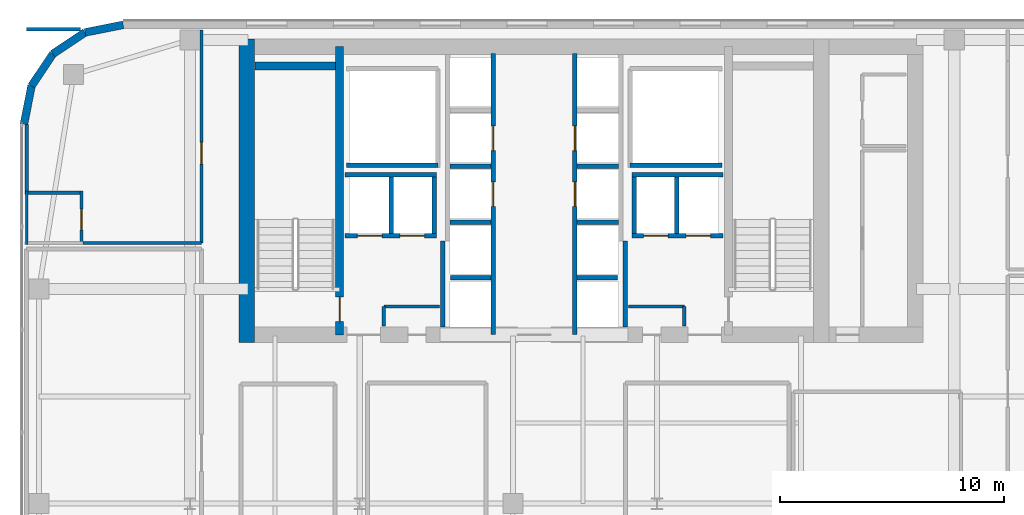
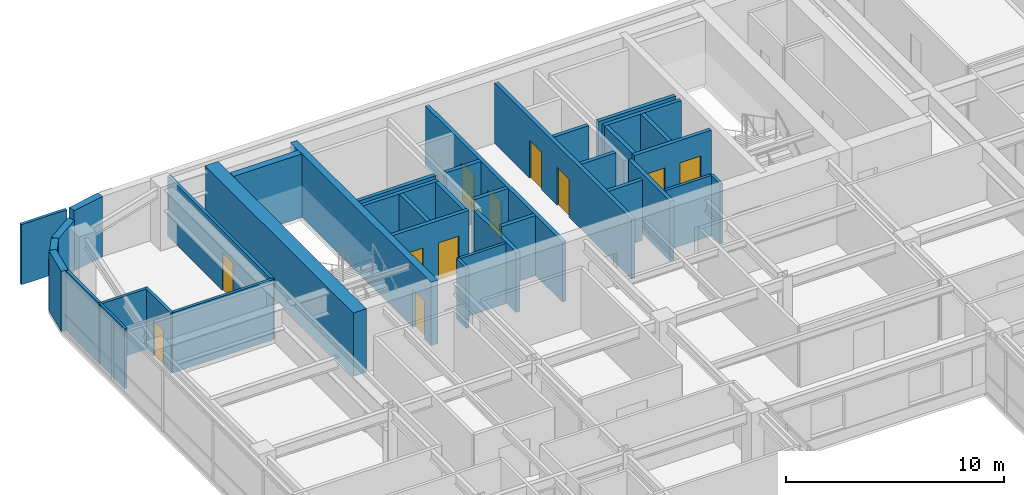
# One storey, part 30 of 37: 38 walls, 11 doors, 11 openings.
"""IFC4 building model written with IfcOpenShell, lengths in metres."""

from ifc_helpers import new_model, si_unit, direction, frame, frame_2d, origin, place, context, subcontext, project, spatial, rectangle, extrude, source, transform, mapped, material, layer, layer_set, type_object, type_shapes, element, fill, save


model = new_model("IFC4")

# Units and contexts
model_context = context("Model", 3, precision=1e-05, world=origin(), true_north=direction((0.0, 1.0)))
body_context = subcontext(model_context, "Body", "Model", "MODEL_VIEW")
ifc_project = project(units=[si_unit("LENGTHUNIT", "METRE"), si_unit("AREAUNIT", "SQUARE_METRE"), si_unit("VOLUMEUNIT", "CUBIC_METRE"), si_unit("PLANEANGLEUNIT", "RADIAN"), si_unit("MASSUNIT", "GRAM", prefix="KILO")], contexts=[model_context])

# Site, building, storey
site_placement = place(None, origin())
site = spatial("IfcSite", under=ifc_project, at=site_placement, CompositionType="ELEMENT")
building_placement = place(site_placement, origin())
building = spatial("IfcBuilding", under=site, at=building_placement, Name="Tolvann Quenvar Hotel", CompositionType="ELEMENT")
storey_placement = place(building_placement, frame((0.0, 0.0, 104.449951171875)))
storey = spatial("IfcBuildingStorey", under=building, at=storey_placement, Name="L26", CompositionType="ELEMENT", Elevation=104.449951171875)

# Wall
ifc_material_1 = material(Name="Concrete S65 (65 MPa)", Category="concrete")
ifc_layer_1 = layer(ifc_material_1, 0.699951171875)
ifc_layer_set_1 = layer_set([ifc_layer_1], Name="Concrete S65 (65 MPa)")
wall_type_1 = type_object("IfcWallType", Name="WALL_CORE_700", PredefinedType="SHEAR", material=ifc_layer_set_1)
wall_1_placement = place(storey_placement, frame((10.14990234375, 31.60009765625, 0.0), z_axis=(0.0, 0.0, 1.0), x_axis=(0.0, 1.0, 0.0)))
element("IfcWall", 1, at=wall_1_placement, inside=storey, type_object=wall_type_1, Name="Rear Core W Shear Wall (L26)", PredefinedType="SHEAR", context=body_context, shape_type="SweptSolid", body=[
    extrude(rectangle(XDim=13.599853515625, YDim=0.699951171875, at=frame_2d((6.7998046875, 0.0))), origin(), (0.0, 0.0, 1.0), 3.550048828125),
])

# Wall, opening, door
ifc_layer_2 = layer(ifc_material_1, 0.35009765625)
ifc_layer_set_2 = layer_set([ifc_layer_2], Name="Concrete S65 (65 MPa)")
wall_type_2 = type_object("IfcWallType", Name="WALL_CORE_INT_350", PredefinedType="SHEAR", material=ifc_layer_set_2)
wall_2_placement = place(storey_placement, frame((14.300048828125, 31.949951171875, 0.0), z_axis=(0.0, 0.0, 1.0), x_axis=(0.0, 1.0, 0.0)))
wall_2 = element("IfcWall", 2, at=wall_2_placement, inside=storey, type_object=wall_type_2, Name="Core Internal Web Shear Wall WEB-W (L26)", PredefinedType="SHEAR", context=body_context, shape_type="SweptSolid", body=[
    extrude(rectangle(XDim=12.900146484375, YDim=0.35009765625, at=frame_2d((6.4501953125, 0.0))), origin(), (0.0, 0.0, 1.0), 3.550048828125),
])
opening_1_placement = place(wall_2_placement, frame((0.60009765625, 0.0, 0.0)))
opening_1 = element("IfcOpeningElement", 3, at=opening_1_placement, cuts=wall_2, Name="Opening FD-120", PredefinedType="OPENING", context=body_context, shape_type="SweptSolid", body=[
    extrude(rectangle(XDim=1.10009765625, YDim=2.1201171875, at=frame_2d((0.550048828125, 1.06005859375))), frame((0.0, 0.18505859375, 0.0), z_axis=(0.0, -1.0, 0.0), x_axis=(1.0, 0.0, 0.0)), (0.0, 0.0, 1.0), 0.3701171875),
])
ifc_material_2 = material(Name="Pressed galvanised steel fire-rated door set", Category="steel")
door_type_1 = type_object("IfcDoorType", Name="DOOR_FIRE_STAIR_1100", OperationType="NOTDEFINED", PredefinedType="DOOR", material=ifc_material_2)
shared_shape_1 = source(origin(), body_context, "Body", "SweptSolid", [
    extrude(rectangle(XDim=1.10009765625, YDim=2.1201171875, at=frame_2d((0.550048828125, 1.06005859375))), frame((0.0, 0.02490234375, 0.0), z_axis=(0.0, -1.0, 0.0), x_axis=(1.0, 0.0, 0.0)), (0.0, 0.0, 1.0), 0.050048828125),
])
type_shapes(door_type_1, [shared_shape_1])
door_1_placement = place(opening_1_placement, origin())
door_1 = element("IfcDoor", 4, at=door_1_placement, inside=storey, type_object=door_type_1, Name="Exit Stair ST-C1 Fire Door (L26)", OperationType="SINGLE_SWING_LEFT", OverallHeight=2.1201171875, OverallWidth=1.10009765625, PredefinedType="DOOR", context=body_context, shape_type="MappedRepresentation", body=[
    mapped(shared_shape_1, transform((0.0, 0.0, 0.0), x_axis=(1.0, 0.0, 0.0), y_axis=(0.0, 1.0, 0.0), z_axis=(0.0, 0.0, 1.0), scale=1.0)),
])
fill(opening_1, door_1)

# Walls
wall_3_placement = place(storey_placement, frame((10.52001953125, 43.97509765625, 0.0), z_axis=(0.0, 0.0, 1.0), x_axis=(1.0, 0.0, 0.0)))
element("IfcWall", 5, at=wall_3_placement, inside=storey, type_object=wall_type_2, Name="Core Stair North Closing Shear Wall STC1-N (L26)", PredefinedType="SHEAR", context=body_context, shape_type="SweptSolid", body=[
    extrude(rectangle(XDim=3.60009765625, YDim=0.35009765625, at=frame_2d((1.800048828125, 0.0))), origin(), (0.0, 0.0, 1.0), 3.550048828125),
])
ifc_material_3 = material(Name="Kiln-fired red and buff architectural clay brickwork and terracotta masonry", Category="masonry")
ifc_layer_3 = layer(ifc_material_3, 0.35009765625)
ifc_layer_set_3 = layer_set([ifc_layer_3], Name="Kiln-fired red and buff architectural clay brickwork and terracotta masonry")
wall_type_3 = type_object("IfcWallType", Name="WALL_EXT_BRICK_350", PredefinedType="SOLIDWALL", material=ifc_layer_set_3)
wall_4_placement = place(storey_placement, frame((4.6171875, 45.824951171875, 0.0), z_axis=(0.0, 0.0, 1.0), x_axis=(-0.980800971659, -0.195011420161, 0.0)))
element("IfcWall", 6, at=wall_4_placement, inside=storey, type_object=wall_type_3, Name="Exterior Chicago Brick Wall L26-E19", PredefinedType="SOLIDWALL", context=body_context, shape_type="SweptSolid", body=[
    extrude(rectangle(XDim=1.74267578125, YDim=0.35009765625, at=frame_2d((0.871337890625, 0.0))), origin(), (0.0, 0.0, 1.0), 3.3701171875),
])
for number, where, z_axis, x_axis, name in (
    (7, (2.907958984375, 45.485107421875, 0.0), (0.0, 0.0, 1.0), (-0.831483840845, -0.55554893791, 0.0), "Exterior Chicago Brick Wall L26-E20"),
    (8, (1.473388671875, 44.526611328125, 0.0), (0.0, 0.0, 1.0), (-0.55554893791, -0.831483840845, 0.0), "Exterior Chicago Brick Wall L26-E21"),
):
    element("IfcWall", number, at=place(storey_placement, frame(where, z_axis=z_axis, x_axis=x_axis)), inside=storey, type_object=wall_type_3, Name=name, PredefinedType="SOLIDWALL", context=body_context, shape_type="SweptSolid", body=[
        extrude(rectangle(XDim=1.725341796875, YDim=0.35009765625, at=frame_2d((0.86279296875, 0.0))), origin(), (0.0, 0.0, 1.0), 2.83203125),
    ])
wall_5_placement = place(storey_placement, frame((0.514892578125, 43.092041015625, 0.0), z_axis=(0.0, 0.0, 1.0), x_axis=(-0.195011420161, -0.980800971659, 0.0)))
element("IfcWall", 9, at=wall_5_placement, inside=storey, type_object=wall_type_3, Name="Exterior Chicago Brick Wall L26-E22", PredefinedType="SOLIDWALL", context=body_context, shape_type="SweptSolid", body=[
    extrude(rectangle(XDim=1.74267578125, YDim=0.35009765625, at=frame_2d((0.871337890625, 0.0))), origin(), (0.0, 0.0, 1.0), 3.3701171875),
])
ifc_material_4 = material(Name="Moisture-resistant acoustic plumbing wall assembly")
ifc_layer_4 = layer(ifc_material_4, 0.1201171875)
ifc_layer_set_4 = layer_set([ifc_layer_4], Name="Moisture-resistant acoustic plumbing wall assembly")
wall_type_4 = type_object("IfcWallType", Name="WALL_PART_BATH_120", PredefinedType="PLUMBINGWALL", material=ifc_layer_set_4)
wall_6_placement = place(storey_placement, frame((0.300048828125, 35.989990234375, 0.0), z_axis=(0.0, 0.0, 1.0), x_axis=(0.0, 1.0, 0.0)))
element("IfcWall", 10, at=wall_6_placement, inside=storey, type_object=wall_type_4, Name="Non-Rated Plumbing Partition PT-SPC-L26-ENS-NW01-W", PredefinedType="PLUMBINGWALL", context=body_context, shape_type="SweptSolid", body=[
    extrude(rectangle(XDim=2.389892578125, YDim=0.1201171875, at=frame_2d((1.19482421875, 0.0))), origin(), (0.0, 0.0, 1.0), 3.3701171875),
])

# Wall, opening, door
ifc_material_5 = material(Name="Acoustic twin-stud fire-rated gypsum plasterboard partition")
ifc_layer_5 = layer(ifc_material_5, 0.14990234375)
ifc_layer_set_5 = layer_set([ifc_layer_5], Name="Acoustic twin-stud fire-rated gypsum plasterboard partition")
wall_type_5 = type_object("IfcWallType", Name="WALL_PART_SUITE_150", PredefinedType="PARTITIONING", material=ifc_layer_set_5)
wall_7_placement = place(storey_placement, frame((2.75, 35.989990234375, 0.0), z_axis=(0.0, 0.0, 1.0), x_axis=(0.0, 1.0, 0.0)))
wall_7 = element("IfcWall", 11, at=wall_7_placement, inside=storey, type_object=wall_type_5, Name="Interior Partition PT-SPC-L26-ENS-NW01-ENT", PredefinedType="PARTITIONING", context=body_context, shape_type="SweptSolid", body=[
    extrude(rectangle(XDim=2.389892578125, YDim=0.14990234375, at=frame_2d((1.19482421875, 0.0))), origin(), (0.0, 0.0, 1.0), 3.3701171875),
])
opening_2_placement = place(wall_7_placement, frame((0.6650390625, 0.0, 0.0)))
opening_2 = element("IfcOpeningElement", 12, at=opening_2_placement, cuts=wall_7, Name="Opening WD-01", PredefinedType="OPENING", context=body_context, shape_type="SweptSolid", body=[
    extrude(rectangle(XDim=0.919921875, YDim=2.010009765625, at=frame_2d((0.4599609375, 1.0048828125))), frame((0.0, 0.0849609375, 0.0), z_axis=(0.0, -1.0, 0.0), x_axis=(1.0, 0.0, 0.0)), (0.0, 0.0, 1.0), 0.169921875),
])
ifc_material_6 = material(Name="Solid-core American oak acoustic fire door leaf in steel frame", Category="steel")
door_type_2 = type_object("IfcDoorType", Name="DOOR_WC_920", OperationType="NOTDEFINED", PredefinedType="DOOR", material=ifc_material_6)
shared_shape_2 = source(origin(), body_context, "Body", "SweptSolid", [
    extrude(rectangle(XDim=0.919921875, YDim=2.010009765625, at=frame_2d((0.4599609375, 1.0048828125))), frame((0.0, 0.02490234375, 0.0), z_axis=(0.0, -1.0, 0.0), x_axis=(1.0, 0.0, 0.0)), (0.0, 0.0, 1.0), 0.050048828125),
])
type_shapes(door_type_2, [shared_shape_2])
door_2_placement = place(opening_2_placement, origin())
door_2 = element("IfcDoor", 13, at=door_2_placement, inside=storey, type_object=door_type_2, Name="Interior Door DOOR-SPC-L26-ENS-NW01", OperationType="SINGLE_SWING_LEFT", OverallHeight=2.010009765625, OverallWidth=0.919921875, PredefinedType="DOOR", context=body_context, shape_type="MappedRepresentation", body=[
    mapped(shared_shape_2, transform((0.0, 0.0, 0.0), x_axis=(1.0, 0.0, 0.0), y_axis=(0.0, 1.0, 0.0), z_axis=(0.0, 0.0, 1.0), scale=1.0)),
])
fill(opening_2, door_2)

# Walls
wall_8_placement = place(storey_placement, frame((0.22998046875, 38.31005859375, 0.0), z_axis=(0.0, 0.0, 1.0), x_axis=(1.0, 0.0, 0.0)))
element("IfcWall", 14, at=wall_8_placement, inside=storey, type_object=wall_type_5, Name="Interior Partition PT-SPC-L26-ENS-NW01-N", PredefinedType="PARTITIONING", context=body_context, shape_type="SweptSolid", body=[
    extrude(rectangle(XDim=2.590087890625, YDim=0.14990234375, at=frame_2d((1.294921875, 0.0))), origin(), (0.0, 0.0, 1.0), 3.3701171875),
])
wall_9_placement = place(storey_placement, frame((16.280029296875, 33.219970703125, 0.0), z_axis=(0.0, 0.0, 1.0), x_axis=(1.0, 0.0, 0.0)))
element("IfcWall", 15, at=wall_9_placement, inside=storey, type_object=wall_type_5, Name="Interior Partition PT-SPC-L26-CSW-1-N", PredefinedType="PARTITIONING", context=body_context, shape_type="SweptSolid", body=[
    extrude(rectangle(XDim=2.48486328125, YDim=0.14990234375, at=frame_2d((1.242431640625, 0.0))), origin(), (0.0, 0.0, 1.0), 3.3701171875),
])
wall_10_placement = place(storey_placement, frame((16.280029296875, 32.35498046875, 0.0), z_axis=(0.0, 0.0, 1.0), x_axis=(0.0, 1.0, 0.0)))
element("IfcWall", 16, at=wall_10_placement, inside=storey, type_object=wall_type_5, Name="Interior Partition PT-SPC-L26-CSW-1-W", PredefinedType="PARTITIONING", context=body_context, shape_type="SweptSolid", body=[
    extrude(rectangle(XDim=0.864990234375, YDim=0.14990234375, at=frame_2d((0.4326171875, 0.0))), origin(), (0.0, 0.0, 1.0), 3.3701171875),
])
wall_11_placement = place(storey_placement, frame((27.235107421875, 33.219970703125, 0.0), z_axis=(0.0, 0.0, 1.0), x_axis=(1.0, 0.0, 0.0)))
element("IfcWall", 17, at=wall_11_placement, inside=storey, type_object=wall_type_5, Name="Interior Partition PT-SPC-L26-CSE-2-N", PredefinedType="PARTITIONING", context=body_context, shape_type="SweptSolid", body=[
    extrude(rectangle(XDim=2.48486328125, YDim=0.14990234375, at=frame_2d((1.242431640625, 0.0))), origin(), (0.0, 0.0, 1.0), 3.3701171875),
])
wall_12_placement = place(storey_placement, frame((29.719970703125, 32.35498046875, 0.0), z_axis=(0.0, 0.0, 1.0), x_axis=(0.0, 1.0, 0.0)))
element("IfcWall", 18, at=wall_12_placement, inside=storey, type_object=wall_type_5, Name="Interior Partition PT-SPC-L26-CSE-2-E", PredefinedType="PARTITIONING", context=body_context, shape_type="SweptSolid", body=[
    extrude(rectangle(XDim=0.864990234375, YDim=0.14990234375, at=frame_2d((0.4326171875, 0.0))), origin(), (0.0, 0.0, 1.0), 3.3701171875),
])

# Wall, opening, door
wall_13_placement = place(storey_placement, frame((8.1201171875, 36.06005859375, 0.0), z_axis=(0.0, 0.0, 1.0), x_axis=(0.0, 1.0, 0.0)))
wall_13 = element("IfcWall", 19, at=wall_13_placement, inside=storey, type_object=wall_type_5, Name="Interior Partition PT-SPC-L26-RM-NW01-ENT", PredefinedType="PARTITIONING", context=body_context, shape_type="SweptSolid", body=[
    extrude(rectangle(XDim=9.534912109375, YDim=0.14990234375, at=frame_2d((4.767578125, 0.0))), origin(), (0.0, 0.0, 1.0), 3.3701171875),
])
opening_3_placement = place(wall_13_placement, frame((3.530029296875, 0.0, 0.0)))
opening_3 = element("IfcOpeningElement", 20, at=opening_3_placement, cuts=wall_13, Name="Opening SD-01", PredefinedType="OPENING", context=body_context, shape_type="SweptSolid", body=[
    extrude(rectangle(XDim=0.97998046875, YDim=2.1201171875, at=frame_2d((0.489990234375, 1.06005859375))), frame((0.0, 0.0849609375, 0.0), z_axis=(0.0, -1.0, 0.0), x_axis=(1.0, 0.0, 0.0)), (0.0, 0.0, 1.0), 0.169921875),
])
door_type_3 = type_object("IfcDoorType", Name="DOOR_SUITE_980", OperationType="NOTDEFINED", PredefinedType="DOOR", material=ifc_material_6)
shared_shape_3 = source(origin(), body_context, "Body", "SweptSolid", [
    extrude(rectangle(XDim=0.97998046875, YDim=2.1201171875, at=frame_2d((0.489990234375, 1.06005859375))), frame((0.0, 0.02490234375, 0.0), z_axis=(0.0, -1.0, 0.0), x_axis=(1.0, 0.0, 0.0)), (0.0, 0.0, 1.0), 0.050048828125),
])
type_shapes(door_type_3, [shared_shape_3])
door_3_placement = place(opening_3_placement, origin())
door_3 = element("IfcDoor", 21, at=door_3_placement, inside=storey, type_object=door_type_3, Name="Interior Door DOOR-SPC-L26-RM-NW01", OperationType="SINGLE_SWING_LEFT", OverallHeight=2.1201171875, OverallWidth=0.97998046875, PredefinedType="DOOR", context=body_context, shape_type="MappedRepresentation", body=[
    mapped(shared_shape_3, transform((0.0, 0.0, 0.0), x_axis=(1.0, 0.0, 0.0), y_axis=(0.0, 1.0, 0.0), z_axis=(0.0, 0.0, 1.0), scale=1.0)),
])
fill(opening_3, door_3)

# Walls
wall_14_placement = place(storey_placement, frame((2.77001953125, 36.06005859375, 0.0), z_axis=(0.0, 0.0, 1.0), x_axis=(1.0, 0.0, 0.0)))
element("IfcWall", 22, at=wall_14_placement, inside=storey, type_object=wall_type_5, Name="Interior Partition PT-SPC-L26-RM-NW01-E3", PredefinedType="PARTITIONING", context=body_context, shape_type="SweptSolid", body=[
    extrude(rectangle(XDim=5.35009765625, YDim=0.14990234375, at=frame_2d((2.675048828125, 0.0))), origin(), (0.0, 0.0, 1.0), 3.3701171875),
])
wall_15_placement = place(storey_placement, frame((0.300048828125, 45.6201171875, 0.0), z_axis=(0.0, 0.0, 1.0), x_axis=(1.0, 0.0, 0.0)))
element("IfcWall", 23, at=wall_15_placement, inside=storey, type_object=wall_type_5, Name="Interior Partition PT-SPC-L26-RM-NW01-E5", PredefinedType="PARTITIONING", context=body_context, shape_type="SweptSolid", body=[
    extrude(rectangle(XDim=2.39599609375, YDim=0.14990234375, at=frame_2d((1.197998046875, 0.0))), origin(), (0.0, 0.0, 1.0), 3.3701171875),
])
wall_16_placement = place(storey_placement, frame((0.300048828125, 38.330078125, 0.0), z_axis=(0.0, 0.0, 1.0), x_axis=(0.0, 1.0, 0.0)))
element("IfcWall", 24, at=wall_16_placement, inside=storey, type_object=wall_type_5, Name="Interior Partition PT-SPC-L26-RM-NW01-E6", PredefinedType="PARTITIONING", context=body_context, shape_type="SweptSolid", body=[
    extrude(rectangle(XDim=3.02783203125, YDim=0.14990234375, at=frame_2d((1.513916015625, 0.0))), origin(), (0.0, 0.0, 1.0), 3.3701171875),
])
ifc_material_7 = material(Name="Concrete N40 (40 MPa)", Category="concrete")
ifc_layer_6 = layer(ifc_material_7, 0.199951171875)
ifc_layer_set_6 = layer_set([ifc_layer_6], Name="Concrete N40 (40 MPa)")
wall_type_6 = type_object("IfcWallType", Name="WALL_SHAFT_200", PredefinedType="SOLIDWALL", material=ifc_layer_set_6)
for number, where, z_axis, x_axis, name in (
    (25, (14.60009765625, 39.550048828125, 0.0), (0.0, 0.0, 1.0), (1.0, 0.0, 0.0), "Service Riser W Shaft Wall S (L26)"),
    (26, (27.300048828125, 39.550048828125, 0.0), (0.0, 0.0, 1.0), (1.0, 0.0, 0.0), "Service Riser E Shaft Wall S (L26)"),
):
    element("IfcWall", number, at=place(storey_placement, frame(where, z_axis=z_axis, x_axis=x_axis)), inside=storey, type_object=wall_type_6, Name=name, PredefinedType="SOLIDWALL", context=body_context, shape_type="SweptSolid", body=[
        extrude(rectangle(XDim=4.099853515625, YDim=0.199951171875, at=frame_2d((2.0498046875, 0.0))), origin(), (0.0, 0.0, 1.0), 3.3701171875),
    ])
for number, where, z_axis, x_axis, name in (
    (27, (18.919921875, 32.303955078125, 0.0), (0.0, 0.0, 1.0), (0.0, 1.0, 0.0), "Firefighting Lobby W Inner Fire Wall (L26)"),
    (28, (27.080078125, 32.303955078125, 0.0), (0.0, 0.0, 1.0), (0.0, 1.0, 0.0), "Firefighting Lobby E Inner Fire Wall (L26)"),
):
    element("IfcWall", number, at=place(storey_placement, frame(where, z_axis=z_axis, x_axis=x_axis)), inside=storey, type_object=wall_type_6, Name=name, PredefinedType="SOLIDWALL", context=body_context, shape_type="SweptSolid", body=[
        extrude(rectangle(XDim=3.845947265625, YDim=0.199951171875, at=frame_2d((1.9228515625, 0.0))), origin(), (0.0, 0.0, 1.0), 3.3701171875),
    ])

# Wall, openings, doors
wall_17_placement = place(storey_placement, frame((21.169921875, 31.9599609375, 0.0), z_axis=(0.0, 0.0, 1.0), x_axis=(0.0, 1.0, 0.0)))
wall_17 = element("IfcWall", 29, at=wall_17_placement, inside=storey, type_object=wall_type_6, Name="Lift Bank E21.1C1 Hoistway Front Wall (L26)", PredefinedType="SOLIDWALL", context=body_context, shape_type="SweptSolid", body=[
    extrude(rectangle(XDim=12.580078125, YDim=0.199951171875, at=frame_2d((6.2900390625, 0.0))), origin(), (0.0, 0.0, 1.0), 3.3701171875),
])
opening_4_placement = place(wall_17_placement, frame((5.739990234375, 0.0, 0.0)))
opening_4 = element("IfcOpeningElement", 30, at=opening_4_placement, cuts=wall_17, Name="Opening LD-01", PredefinedType="OPENING", context=body_context, shape_type="SweptSolid", body=[
    extrude(rectangle(XDim=1.10009765625, YDim=2.1201171875, at=frame_2d((0.550048828125, 1.06005859375))), frame((0.0, 0.10986328125, 0.0), z_axis=(0.0, -1.0, 0.0), x_axis=(1.0, 0.0, 0.0)), (0.0, 0.0, 1.0), 0.219970703125),
])
opening_5_placement = place(wall_17_placement, frame((8.239990234375, 0.0, 0.0)))
opening_5 = element("IfcOpeningElement", 31, at=opening_5_placement, cuts=wall_17, Name="Opening LD-01", PredefinedType="OPENING", context=body_context, shape_type="SweptSolid", body=[
    extrude(rectangle(XDim=1.10009765625, YDim=2.1201171875, at=frame_2d((0.550048828125, 1.06005859375))), frame((0.0, 0.10986328125, 0.0), z_axis=(0.0, -1.0, 0.0), x_axis=(1.0, 0.0, 0.0)), (0.0, 0.0, 1.0), 0.219970703125),
])
ifc_material_8 = material(Name="Brushed 316 stainless steel automatic sliding lift landing door", Category="steel")
door_type_4 = type_object("IfcDoorType", Name="DOOR_LIFT_SLIDE_1100", OperationType="NOTDEFINED", PredefinedType="DOOR", material=ifc_material_8)
shared_shape_4 = source(origin(), body_context, "Body", "SweptSolid", [
    extrude(rectangle(XDim=1.10009765625, YDim=2.1201171875, at=frame_2d((0.550048828125, 1.06005859375))), frame((0.0, 0.02490234375, 0.0), z_axis=(0.0, -1.0, 0.0), x_axis=(1.0, 0.0, 0.0)), (0.0, 0.0, 1.0), 0.050048828125),
])
type_shapes(door_type_4, [shared_shape_4])
door_4_placement = place(opening_4_placement, origin())
door_4 = element("IfcDoor", 32, at=door_4_placement, inside=storey, type_object=door_type_4, Name="Lift PM-1 Sliding Landing Door (L26)", OperationType="SLIDING_TO_RIGHT", OverallHeight=2.1201171875, OverallWidth=1.10009765625, PredefinedType="DOOR", context=body_context, shape_type="MappedRepresentation", body=[
    mapped(shared_shape_4, transform((0.0, 0.0, 0.0), x_axis=(1.0, 0.0, 0.0), y_axis=(0.0, 1.0, 0.0), z_axis=(0.0, 0.0, 1.0), scale=1.0)),
])
fill(opening_4, door_4)
door_5_placement = place(opening_5_placement, origin())
door_5 = element("IfcDoor", 33, at=door_5_placement, inside=storey, type_object=door_type_4, Name="Lift PM-2 Sliding Landing Door (L26)", OperationType="SLIDING_TO_LEFT", OverallHeight=2.1201171875, OverallWidth=1.10009765625, PredefinedType="DOOR", context=body_context, shape_type="MappedRepresentation", body=[
    mapped(shared_shape_4, transform((0.0, 0.0, 0.0), x_axis=(1.0, 0.0, 0.0), y_axis=(0.0, 1.0, 0.0), z_axis=(0.0, 0.0, 1.0), scale=1.0)),
])
fill(opening_5, door_5)

# Walls
wall_18_placement = place(storey_placement, frame((19.27001953125, 34.5, 0.0), z_axis=(0.0, 0.0, 1.0), x_axis=(1.0, 0.0, 0.0)))
element("IfcWall", 34, at=wall_18_placement, inside=storey, type_object=wall_type_6, Name="Lift Bank E21.1C1 Divider Wall 1 (L26)", PredefinedType="SOLIDWALL", context=body_context, shape_type="SweptSolid", body=[
    extrude(rectangle(XDim=1.800048828125, YDim=0.199951171875, at=frame_2d((0.89990234375, 0.0))), origin(), (0.0, 0.0, 1.0), 3.3701171875),
])
for number, where, z_axis, x_axis, name in (
    (35, (19.22998046875, 37.0, 0.0), (0.0, 0.0, 1.0), (1.0, 0.0, 0.0), "Lift Bank E21.1C1 Divider Wall 2 (L26)"),
    (36, (19.22998046875, 39.5, 0.0), (0.0, 0.0, 1.0), (1.0, 0.0, 0.0), "Lift Bank E21.1C1 Divider Wall 3 (L26)"),
):
    element("IfcWall", number, at=place(storey_placement, frame(where, z_axis=z_axis, x_axis=x_axis)), inside=storey, type_object=wall_type_6, Name=name, PredefinedType="SOLIDWALL", context=body_context, shape_type="SweptSolid", body=[
        extrude(rectangle(XDim=1.840087890625, YDim=0.199951171875, at=frame_2d((0.919921875, 0.0))), origin(), (0.0, 0.0, 1.0), 3.3701171875),
    ])

# Wall, openings, doors
wall_19_placement = place(storey_placement, frame((27.375, 36.3798828125, 0.0), z_axis=(0.0, 0.0, 1.0), x_axis=(1.0, 0.0, 0.0)))
wall_19 = element("IfcWall", 37, at=wall_19_placement, inside=storey, type_object=wall_type_6, Name="Lift Bank SEC1 Hoistway Front Wall (L26)", PredefinedType="SOLIDWALL", context=body_context, shape_type="SweptSolid", body=[
    extrude(rectangle(XDim=4.074951171875, YDim=0.199951171875, at=frame_2d((2.03759765625, 0.0))), origin(), (0.0, 0.0, 1.0), 3.3701171875),
])
opening_6_placement = place(wall_19_placement, frame((0.52490234375, 0.0, 0.0)))
opening_6 = element("IfcOpeningElement", 38, at=opening_6_placement, cuts=wall_19, Name="Opening LD-01", PredefinedType="OPENING", context=body_context, shape_type="SweptSolid", body=[
    extrude(rectangle(XDim=1.10009765625, YDim=2.1201171875, at=frame_2d((0.550048828125, 1.06005859375))), frame((0.0, 0.10986328125, 0.0), z_axis=(0.0, -1.0, 0.0), x_axis=(1.0, 0.0, 0.0)), (0.0, 0.0, 1.0), 0.219970703125),
])
opening_7_placement = place(wall_19_placement, frame((2.425048828125, 0.0, 0.0)))
opening_7 = element("IfcOpeningElement", 39, at=opening_7_placement, cuts=wall_19, Name="Opening LD-01", PredefinedType="OPENING", context=body_context, shape_type="SweptSolid", body=[
    extrude(rectangle(XDim=1.10009765625, YDim=2.1201171875, at=frame_2d((0.550048828125, 1.06005859375))), frame((0.0, 0.10986328125, 0.0), z_axis=(0.0, -1.0, 0.0), x_axis=(1.0, 0.0, 0.0)), (0.0, 0.0, 1.0), 0.219970703125),
])
door_6_placement = place(opening_6_placement, origin())
door_6 = element("IfcDoor", 40, at=door_6_placement, inside=storey, type_object=door_type_4, Name="Lift SV-2 Sliding Landing Door (L26)", OperationType="SLIDING_TO_LEFT", OverallHeight=2.1201171875, OverallWidth=1.10009765625, PredefinedType="DOOR", context=body_context, shape_type="MappedRepresentation", body=[
    mapped(shared_shape_4, transform((0.0, 0.0, 0.0), x_axis=(1.0, 0.0, 0.0), y_axis=(0.0, 1.0, 0.0), z_axis=(0.0, 0.0, 1.0), scale=1.0)),
])
fill(opening_6, door_6)
door_7_placement = place(opening_7_placement, origin())
door_7 = element("IfcDoor", 41, at=door_7_placement, inside=storey, type_object=door_type_4, Name="Lift FF-2 Sliding Landing Door (L26)", OperationType="SLIDING_TO_RIGHT", OverallHeight=2.1201171875, OverallWidth=1.10009765625, PredefinedType="DOOR", context=body_context, shape_type="MappedRepresentation", body=[
    mapped(shared_shape_4, transform((0.0, 0.0, 0.0), x_axis=(1.0, 0.0, 0.0), y_axis=(0.0, 1.0, 0.0), z_axis=(0.0, 0.0, 1.0), scale=1.0)),
])
fill(opening_7, door_7)

# Walls
wall_20_placement = place(storey_placement, frame((27.375, 39.1201171875, 0.0), z_axis=(0.0, 0.0, 1.0), x_axis=(1.0, 0.0, 0.0)))
element("IfcWall", 42, at=wall_20_placement, inside=storey, type_object=wall_type_6, Name="Lift Bank SEC1 Hoistway Rear Wall (L26)", PredefinedType="SOLIDWALL", context=body_context, shape_type="SweptSolid", body=[
    extrude(rectangle(XDim=4.074951171875, YDim=0.199951171875, at=frame_2d((2.03759765625, 0.0))), origin(), (0.0, 0.0, 1.0), 3.3701171875),
])
for number, where, z_axis, x_axis, name in (
    (43, (27.47509765625, 36.47998046875, 0.0), (0.0, 0.0, 1.0), (0.0, 1.0, 0.0), "Lift Bank SEC1 Hoistway Cheek Wall 1 (L26)"),
    (44, (29.387451171875, 36.47998046875, 0.0), (0.0, 0.0, 1.0), (0.0, 1.0, 0.0), "Lift Bank SEC1 Divider Wall 1 (L26)"),
):
    element("IfcWall", number, at=place(storey_placement, frame(where, z_axis=z_axis, x_axis=x_axis)), inside=storey, type_object=wall_type_6, Name=name, PredefinedType="SOLIDWALL", context=body_context, shape_type="SweptSolid", body=[
        extrude(rectangle(XDim=2.5400390625, YDim=0.199951171875, at=frame_2d((1.27001953125, 0.0))), origin(), (0.0, 0.0, 1.0), 3.3701171875),
    ])

# Wall, openings, doors
wall_21_placement = place(storey_placement, frame((14.550048828125, 36.3798828125, 0.0), z_axis=(0.0, 0.0, 1.0), x_axis=(1.0, 0.0, 0.0)))
wall_21 = element("IfcWall", 45, at=wall_21_placement, inside=storey, type_object=wall_type_6, Name="Lift Bank SWC1 Hoistway Front Wall (L26)", PredefinedType="SOLIDWALL", context=body_context, shape_type="SweptSolid", body=[
    extrude(rectangle(XDim=4.074951171875, YDim=0.199951171875, at=frame_2d((2.03759765625, 0.0))), origin(), (0.0, 0.0, 1.0), 3.3701171875),
])
opening_8_placement = place(wall_21_placement, frame((0.550048828125, 0.0, 0.0)))
opening_8 = element("IfcOpeningElement", 46, at=opening_8_placement, cuts=wall_21, Name="Opening LD-01", PredefinedType="OPENING", context=body_context, shape_type="SweptSolid", body=[
    extrude(rectangle(XDim=1.10009765625, YDim=2.1201171875, at=frame_2d((0.550048828125, 1.06005859375))), frame((0.0, 0.10986328125, 0.0), z_axis=(0.0, -1.0, 0.0), x_axis=(1.0, 0.0, 0.0)), (0.0, 0.0, 1.0), 0.219970703125),
])
opening_9_placement = place(wall_21_placement, frame((2.449951171875, 0.0, 0.0)))
opening_9 = element("IfcOpeningElement", 47, at=opening_9_placement, cuts=wall_21, Name="Opening LD-01", PredefinedType="OPENING", context=body_context, shape_type="SweptSolid", body=[
    extrude(rectangle(XDim=1.10009765625, YDim=2.1201171875, at=frame_2d((0.550048828125, 1.06005859375))), frame((0.0, 0.10986328125, 0.0), z_axis=(0.0, -1.0, 0.0), x_axis=(1.0, 0.0, 0.0)), (0.0, 0.0, 1.0), 0.219970703125),
])
door_8_placement = place(opening_8_placement, origin())
door_8 = element("IfcDoor", 48, at=door_8_placement, inside=storey, type_object=door_type_4, Name="Lift FF-1 Sliding Landing Door (L26)", OperationType="SLIDING_TO_LEFT", OverallHeight=2.1201171875, OverallWidth=1.10009765625, PredefinedType="DOOR", context=body_context, shape_type="MappedRepresentation", body=[
    mapped(shared_shape_4, transform((0.0, 0.0, 0.0), x_axis=(1.0, 0.0, 0.0), y_axis=(0.0, 1.0, 0.0), z_axis=(0.0, 0.0, 1.0), scale=1.0)),
])
fill(opening_8, door_8)
door_9_placement = place(opening_9_placement, origin())
door_9 = element("IfcDoor", 49, at=door_9_placement, inside=storey, type_object=door_type_4, Name="Lift SV-1 Sliding Landing Door (L26)", OperationType="SLIDING_TO_RIGHT", OverallHeight=2.1201171875, OverallWidth=1.10009765625, PredefinedType="DOOR", context=body_context, shape_type="MappedRepresentation", body=[
    mapped(shared_shape_4, transform((0.0, 0.0, 0.0), x_axis=(1.0, 0.0, 0.0), y_axis=(0.0, 1.0, 0.0), z_axis=(0.0, 0.0, 1.0), scale=1.0)),
])
fill(opening_9, door_9)

# Walls
wall_22_placement = place(storey_placement, frame((14.550048828125, 39.1201171875, 0.0), z_axis=(0.0, 0.0, 1.0), x_axis=(1.0, 0.0, 0.0)))
element("IfcWall", 50, at=wall_22_placement, inside=storey, type_object=wall_type_6, Name="Lift Bank SWC1 Hoistway Rear Wall (L26)", PredefinedType="SOLIDWALL", context=body_context, shape_type="SweptSolid", body=[
    extrude(rectangle(XDim=4.074951171875, YDim=0.199951171875, at=frame_2d((2.03759765625, 0.0))), origin(), (0.0, 0.0, 1.0), 3.3701171875),
])
for number, where, z_axis, x_axis, name in (
    (51, (18.52490234375, 36.47998046875, 0.0), (0.0, 0.0, 1.0), (0.0, 1.0, 0.0), "Lift Bank SWC1 Hoistway Cheek Wall 2 (L26)"),
    (52, (16.612548828125, 36.47998046875, 0.0), (0.0, 0.0, 1.0), (0.0, 1.0, 0.0), "Lift Bank SWC1 Divider Wall 1 (L26)"),
):
    element("IfcWall", number, at=place(storey_placement, frame(where, z_axis=z_axis, x_axis=x_axis)), inside=storey, type_object=wall_type_6, Name=name, PredefinedType="SOLIDWALL", context=body_context, shape_type="SweptSolid", body=[
        extrude(rectangle(XDim=2.5400390625, YDim=0.199951171875, at=frame_2d((1.27001953125, 0.0))), origin(), (0.0, 0.0, 1.0), 3.3701171875),
    ])

# Wall, openings, doors
wall_23_placement = place(storey_placement, frame((24.830078125, 31.9599609375, 0.0), z_axis=(0.0, 0.0, 1.0), x_axis=(0.0, 1.0, 0.0)))
wall_23 = element("IfcWall", 53, at=wall_23_placement, inside=storey, type_object=wall_type_6, Name="Lift Bank W24.9C1 Hoistway Front Wall (L26)", PredefinedType="SOLIDWALL", context=body_context, shape_type="SweptSolid", body=[
    extrude(rectangle(XDim=12.580078125, YDim=0.199951171875, at=frame_2d((6.2900390625, 0.0))), origin(), (0.0, 0.0, 1.0), 3.3701171875),
])
opening_10_placement = place(wall_23_placement, frame((5.739990234375, 0.0, 0.0)))
opening_10 = element("IfcOpeningElement", 54, at=opening_10_placement, cuts=wall_23, Name="Opening LD-01", PredefinedType="OPENING", context=body_context, shape_type="SweptSolid", body=[
    extrude(rectangle(XDim=1.10009765625, YDim=2.1201171875, at=frame_2d((0.550048828125, 1.06005859375))), frame((0.0, 0.10986328125, 0.0), z_axis=(0.0, -1.0, 0.0), x_axis=(1.0, 0.0, 0.0)), (0.0, 0.0, 1.0), 0.219970703125),
])
opening_11_placement = place(wall_23_placement, frame((8.239990234375, 0.0, 0.0)))
opening_11 = element("IfcOpeningElement", 55, at=opening_11_placement, cuts=wall_23, Name="Opening LD-01", PredefinedType="OPENING", context=body_context, shape_type="SweptSolid", body=[
    extrude(rectangle(XDim=1.10009765625, YDim=2.1201171875, at=frame_2d((0.550048828125, 1.06005859375))), frame((0.0, 0.10986328125, 0.0), z_axis=(0.0, -1.0, 0.0), x_axis=(1.0, 0.0, 0.0)), (0.0, 0.0, 1.0), 0.219970703125),
])
door_10_placement = place(opening_10_placement, origin())
door_10 = element("IfcDoor", 56, at=door_10_placement, inside=storey, type_object=door_type_4, Name="Lift PM-3 Sliding Landing Door (L26)", OperationType="SLIDING_TO_RIGHT", OverallHeight=2.1201171875, OverallWidth=1.10009765625, PredefinedType="DOOR", context=body_context, shape_type="MappedRepresentation", body=[
    mapped(shared_shape_4, transform((0.0, 0.0, 0.0), x_axis=(1.0, 0.0, 0.0), y_axis=(0.0, 1.0, 0.0), z_axis=(0.0, 0.0, 1.0), scale=1.0)),
])
fill(opening_10, door_10)
door_11_placement = place(opening_11_placement, origin())
door_11 = element("IfcDoor", 57, at=door_11_placement, inside=storey, type_object=door_type_4, Name="Lift PM-4 Sliding Landing Door (L26)", OperationType="SLIDING_TO_LEFT", OverallHeight=2.1201171875, OverallWidth=1.10009765625, PredefinedType="DOOR", context=body_context, shape_type="MappedRepresentation", body=[
    mapped(shared_shape_4, transform((0.0, 0.0, 0.0), x_axis=(1.0, 0.0, 0.0), y_axis=(0.0, 1.0, 0.0), z_axis=(0.0, 0.0, 1.0), scale=1.0)),
])
fill(opening_11, door_11)

# Walls
wall_24_placement = place(storey_placement, frame((24.929931640625, 34.5, 0.0), z_axis=(0.0, 0.0, 1.0), x_axis=(1.0, 0.0, 0.0)))
element("IfcWall", 58, at=wall_24_placement, inside=storey, type_object=wall_type_6, Name="Lift Bank W24.9C1 Divider Wall 1 (L26)", PredefinedType="SOLIDWALL", context=body_context, shape_type="SweptSolid", body=[
    extrude(rectangle(XDim=1.800048828125, YDim=0.199951171875, at=frame_2d((0.89990234375, 0.0))), origin(), (0.0, 0.0, 1.0), 3.3701171875),
])
for number, where, z_axis, x_axis, name in (
    (59, (24.929931640625, 37.0, 0.0), (0.0, 0.0, 1.0), (1.0, 0.0, 0.0), "Lift Bank W24.9C1 Divider Wall 2 (L26)"),
    (60, (24.929931640625, 39.5, 0.0), (0.0, 0.0, 1.0), (1.0, 0.0, 0.0), "Lift Bank W24.9C1 Divider Wall 3 (L26)"),
):
    element("IfcWall", number, at=place(storey_placement, frame(where, z_axis=z_axis, x_axis=x_axis)), inside=storey, type_object=wall_type_6, Name=name, PredefinedType="SOLIDWALL", context=body_context, shape_type="SweptSolid", body=[
        extrude(rectangle(XDim=1.840087890625, YDim=0.199951171875, at=frame_2d((0.919921875, 0.0))), origin(), (0.0, 0.0, 1.0), 3.3701171875),
    ])

save(model, "model.ifc")
